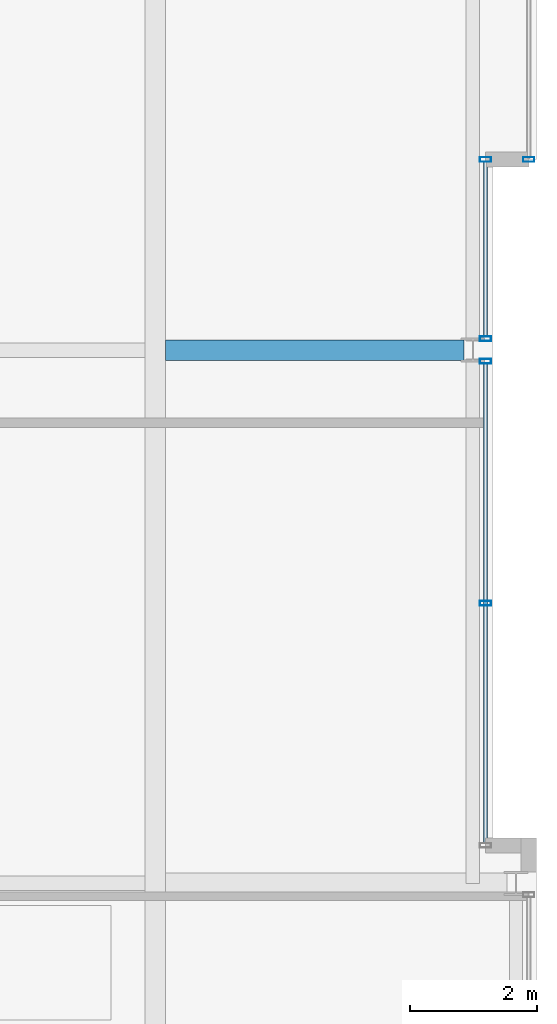
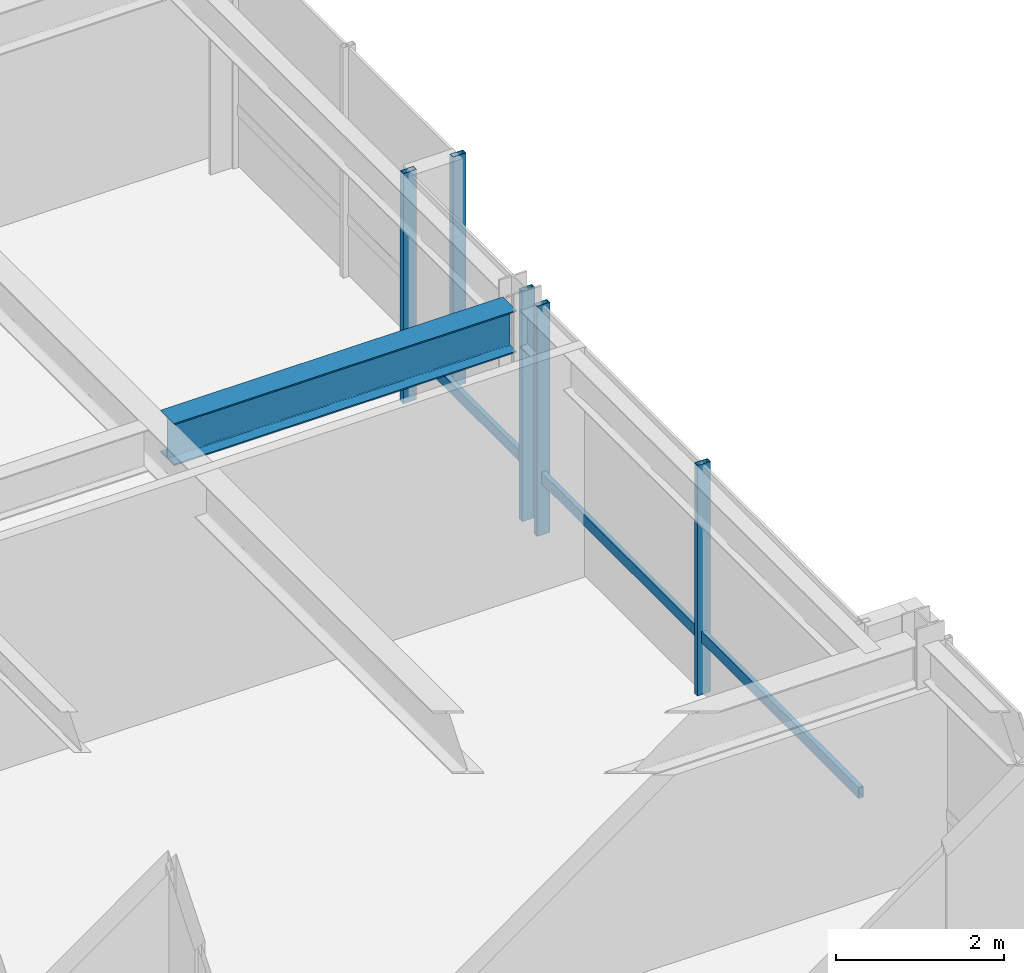
# One storey, part 16 of 32: 7 members, 1 beam, 3 elements without a shape of their own.
"""IFC4 building model written with IfcOpenShell, lengths in metres."""

import ifcopenshell
import ifcopenshell.guid

model = None  # the IFC model being written
_history = None  # IfcOwnerHistory: only IFC2X3 demands one
_inside = {}  # id of a spatial element -> (the spatial element, [elements in it])
_under = {}  # id of a project, library or spatial element -> (it, [spatial elements below it])
_declared = {}  # id of a project -> (the project, [libraries it declares])
_typed = {}  # id of a type object -> (the type object, [elements of that type])
_made_of = {}  # id of a material, layer set ... -> (it, [elements and type objects made of it])


def new_model(schema):
    """Start an empty IFC model of exactly this schema.

    Asked for "IFC4X3", IfcOpenShell would pick the latest addendum, in which some entities
    have other attributes; the version numbers below select the first issue.
    IFC2X3 requires an IfcOwnerHistory on every rooted entity: one is made here for all.
    """
    global model, _history
    if schema == "IFC4X3":
        model = ifcopenshell.file(schema_version=(4, 3, 0, 0))
    else:
        model = ifcopenshell.file(schema=schema)
    _inside.clear()
    _under.clear()
    _declared.clear()
    _typed.clear()
    _made_of.clear()
    _history = None
    if model.schema == "IFC2X3":
        org = make("IfcOrganization", Name="unknown")
        user = make(
            "IfcPersonAndOrganization",
            ThePerson=make("IfcPerson", FamilyName="unknown"),
            TheOrganization=org,
        )
        app = make(
            "IfcApplication",
            ApplicationDeveloper=org,
            Version="unknown",
            ApplicationFullName="unknown",
            ApplicationIdentifier="unknown",
        )
        _history = make(
            "IfcOwnerHistory",
            OwningUser=user,
            OwningApplication=app,
            ChangeAction="ADDED",
            CreationDate=0,
        )
    return model


def make(cls, **values):
    """One entity of the class cls with the attributes given. An attribute that is None is left unset."""
    return model.create_entity(
        cls, **{name: value for name, value in values.items() if value is not None}
    )


def rooted(cls, **values):
    """An entity with a GlobalId (a new one), such as an element, a storey or a relation."""
    return make(cls, GlobalId=ifcopenshell.guid.new(), OwnerHistory=_history, **values)


def si_unit(unit_type, name, prefix=None):
    """IfcSIUnit, for example si_unit("LENGTHUNIT", "METRE", prefix="MILLI")."""
    return make("IfcSIUnit", UnitType=unit_type, Prefix=prefix, Name=name)


def assignment(units):
    """IfcUnitAssignment: the units of a project."""
    return None if units is None else make("IfcUnitAssignment", Units=units)


def point(xyz):
    """IfcCartesianPoint."""
    return None if xyz is None else make("IfcCartesianPoint", Coordinates=xyz)


def direction(xyz):
    """IfcDirection."""
    return None if xyz is None else make("IfcDirection", DirectionRatios=xyz)


def frame(location, z_axis=None, x_axis=None):
    """IfcAxis2Placement3D, a coordinate frame: its origin and axes. An axis left out is left unset."""
    return make(
        "IfcAxis2Placement3D",
        Location=point(location),
        Axis=direction(z_axis),
        RefDirection=direction(x_axis),
    )


def frame_2d(location, x_axis=None):
    """IfcAxis2Placement2D, a coordinate frame in the plane: its origin and x axis."""
    return make(
        "IfcAxis2Placement2D", Location=point(location), RefDirection=direction(x_axis)
    )


def origin():
    """The frame at (0, 0, 0) with its axes left unset."""
    return frame((0.0, 0.0, 0.0))


def origin_2d():
    """The frame at (0, 0) in the plane with its x axis left unset."""
    return frame_2d((0.0, 0.0))


def place(relative_to, where):
    """IfcLocalPlacement: puts the frame where relative to a parent placement (None: the world)."""
    return make(
        "IfcLocalPlacement", PlacementRelTo=relative_to, RelativePlacement=where
    )


def context(
    kind, dimensions, precision=None, world=None, true_north=None, identifier=None
):
    """IfcGeometricRepresentationContext, for example the 3D "Model" context."""
    return make(
        "IfcGeometricRepresentationContext",
        ContextIdentifier=identifier,
        ContextType=kind,
        CoordinateSpaceDimension=dimensions,
        Precision=precision,
        WorldCoordinateSystem=world,
        TrueNorth=true_north,
    )


def subcontext(parent, identifier, kind, view, scale=None):
    """IfcGeometricRepresentationSubContext, for example "Body" below "Model"."""
    return make(
        "IfcGeometricRepresentationSubContext",
        ContextIdentifier=identifier,
        ContextType=kind,
        ParentContext=parent,
        TargetScale=scale,
        TargetView=view,
    )


def project(units=None, contexts=None):
    """IfcProject with its units and contexts."""
    return rooted(
        "IfcProject",
        Name="project",
        RepresentationContexts=contexts,
        UnitsInContext=assignment(units),
    )


def spatial(cls, under=None, at=None, **own):
    """A site, building, storey or space (cls), placed at a placement, below another one or the project."""
    s = rooted(cls, ObjectPlacement=at, **own)
    if under is not None:
        _under.setdefault(under.id(), (under, []))[1].append(s)
    return s


def profile(cls, at=None, kind="AREA", **sizes):
    """A parametric profile (cls). Its sizes go by their IFC names, for example OverallWidth=200.0."""
    return make(cls, ProfileType=kind, Position=at, **sizes)


def hollow_rectangle(**sizes):
    """IfcRectangleHollowProfileDef."""
    return profile("IfcRectangleHollowProfileDef", **sizes)


def i_section(**sizes):
    """IfcIShapeProfileDef."""
    return profile("IfcIShapeProfileDef", **sizes)


def extrude(swept, where, along, depth):
    """IfcExtrudedAreaSolid: the profile swept, set in the frame where, extruded along a direction by depth."""
    return make(
        "IfcExtrudedAreaSolid",
        SweptArea=swept,
        Position=where,
        ExtrudedDirection=direction(along),
        Depth=depth,
    )


def shape(context_of_items, identifier, shape_type, items):
    """IfcShapeRepresentation: the items that make up one representation, for example the "Body"."""
    return make(
        "IfcShapeRepresentation",
        ContextOfItems=context_of_items,
        RepresentationIdentifier=identifier,
        RepresentationType=shape_type,
        Items=items,
    )


def material(Name=None, Category=None):
    """IfcMaterial."""
    return make("IfcMaterial", Name=Name, Category=Category)


def layer(
    of_material, thickness, ventilated=None, Name=None, Category=None, Priority=None
):
    """IfcMaterialLayer: one layer of a wall or slab, of a material (None: an air gap)."""
    return make(
        "IfcMaterialLayer",
        Material=of_material,
        LayerThickness=thickness,
        IsVentilated=ventilated,
        Name=Name,
        Category=Category,
        Priority=Priority,
    )


def layer_set(layers, Name=None):
    """IfcMaterialLayerSet."""
    return make("IfcMaterialLayerSet", MaterialLayers=layers, LayerSetName=Name)


def material_profile(
    of_material, cross_section, Name=None, Category=None, Priority=None
):
    """IfcMaterialProfile: a cross section and its material."""
    return make(
        "IfcMaterialProfile",
        Name=Name,
        Material=of_material,
        Profile=cross_section,
        Priority=Priority,
        Category=Category,
    )


def profile_set(profiles, Name=None, composite=None):
    """IfcMaterialProfileSet."""
    return make(
        "IfcMaterialProfileSet",
        Name=Name,
        MaterialProfiles=profiles,
        CompositeProfile=composite,
    )


def made_of(thing, what):
    """Note that an element or type object is made of a material, layer set ...; save() writes the relation."""
    if what is not None:
        _made_of.setdefault(what.id(), (what, []))[1].append(thing)
    return thing


def type_object(cls, material=None, **own):
    """A type object (cls), such as IfcWallType, which elements share."""
    return made_of(rooted(cls, **own), material)


def element(
    cls,
    number,
    at=None,
    inside=None,
    cuts=None,
    type_object=None,
    material=None,
    context=None,
    identifier="Body",
    shape_type=None,
    held_by="IfcProductDefinitionShape",
    body=None,
    shapes=None,
    **own,
):
    """One element of the class cls, such as IfcWall. Its Tag is "e" and its number.

    at: its placement. inside: the storey or other place that contains it. cuts: it is an
    opening in that element (IfcRelVoidsElement). A single representation is given by context,
    identifier, shape_type and body (its items); several are given by shapes. held_by: the class
    of the entity that holds the representations. save() writes the other relations.
    """
    e = rooted(cls, Tag="e%d" % number, ObjectPlacement=at, **own)
    if body is not None:
        shapes = [shape(context, identifier, shape_type, body)]
    if shapes is not None:
        e.Representation = make(held_by, Representations=shapes)
    if inside is not None:
        _inside.setdefault(inside.id(), (inside, []))[1].append(e)
    if cuts is not None:
        rooted(
            "IfcRelVoidsElement", RelatingBuildingElement=cuts, RelatedOpeningElement=e
        )
    if type_object is not None:
        _typed.setdefault(type_object.id(), (type_object, []))[1].append(e)
    return made_of(e, material)


def aggregate(whole, parts):
    """IfcRelAggregates: a whole, such as a stair, and the parts it consists of."""
    return rooted("IfcRelAggregates", RelatingObject=whole, RelatedObjects=parts)


def save(model, path):
    """Write the relations noted so far, then the file.

    IfcRelAggregates (storeys below a building ...), IfcRelContainedInSpatialStructure (elements
    in a storey), IfcRelDefinesByType, IfcRelAssociatesMaterial and IfcRelDeclares: one each for
    every whole, place, type object, material and project.
    """
    for whole, parts in _under.values():
        aggregate(whole, parts)
    for where, things in _inside.values():
        rooted(
            "IfcRelContainedInSpatialStructure",
            RelatedElements=things,
            RelatingStructure=where,
        )
    for kind, things in _typed.values():
        rooted("IfcRelDefinesByType", RelatedObjects=things, RelatingType=kind)
    for what, things in _made_of.values():
        rooted("IfcRelAssociatesMaterial", RelatedObjects=things, RelatingMaterial=what)
    for by, libraries in _declared.values():
        rooted("IfcRelDeclares", RelatingContext=by, RelatedDefinitions=libraries)
    model.write(path)


model = new_model("IFC4")

# Units and contexts
model_context = context("Model", 3, precision=1e-05, world=origin(), true_north=direction((0.0, 1.0)))
body_context = subcontext(model_context, "Body", "Model", "MODEL_VIEW")
ifc_project = project(units=[si_unit("LENGTHUNIT", "METRE"), si_unit("AREAUNIT", "SQUARE_METRE"), si_unit("VOLUMEUNIT", "CUBIC_METRE"), si_unit("PLANEANGLEUNIT", "RADIAN"), si_unit("MASSUNIT", "GRAM", prefix="KILO")], contexts=[model_context])

# Site, building, storey
site_placement = place(None, origin())
site = spatial("IfcSite", under=ifc_project, at=site_placement, CompositionType="ELEMENT")
building_placement = place(site_placement, origin())
building = spatial("IfcBuilding", under=site, at=building_placement, Name="Drelvath Grand Hotel", CompositionType="ELEMENT")
storey_placement = place(building_placement, frame((0.0, 0.0, 237.5)))
storey = spatial("IfcBuildingStorey", under=building, at=storey_placement, Name="L62", CompositionType="ELEMENT", Elevation=237.5)

# Curtain wall, member
ifc_material_1 = material(Name="Platinum-Mist Anodised Aluminium Frame", Category="aluminium")
ifc_layer = layer(ifc_material_1, 0.199951171875)
ifc_layer_set = layer_set([ifc_layer], Name="Platinum-Mist Anodised Aluminium Frame")
curtain_wall_type = type_object("IfcCurtainWallType", Name="Stick Curtain Wall CW-05 Platinum Mist High-Rise", PredefinedType="NOTDEFINED", material=ifc_layer_set)
curtain_wall_1_placement = place(storey_placement, origin())
curtain_wall_1 = element("IfcCurtainWall", 1, at=curtain_wall_1_placement, inside=storey, type_object=curtain_wall_type, Name="L62 CW-05 Curtain Wall CW05-L62-EM1", PredefinedType="NOTDEFINED")
ifc_material_profile_1 = material_profile(ifc_material_1, hollow_rectangle(XDim=0.06494140625, YDim=0.159912109375, WallThickness=0.00390625, at=origin_2d()), Name="HSS160X65X4")
ifc_profile_set_1 = profile_set([ifc_material_profile_1], Name="Platinum-Mist Anodised Aluminium Frame")
member_type_1 = type_object("IfcMemberType", Name="Curtain Wall Horizontal Transom CW-05 HSS160X65X4", PredefinedType="USERDEFINED", material=ifc_profile_set_1)
member_1_placement = place(storey_placement, frame((21.39990234375, 26.78173828125, 0.8349609375), z_axis=(0.0, -1.0, 0.0), x_axis=(1.0, 0.0, 0.0)))
member_1 = element("IfcMember", 2, at=member_1_placement, type_object=member_type_1, Name="CW05-L62-EM1 Sill Transom", ObjectType="TRANSOM", PredefinedType="USERDEFINED", context=body_context, shape_type="SweptSolid", body=[
    extrude(hollow_rectangle(XDim=0.06494140625, YDim=0.159912109375, WallThickness=0.00390625, at=origin_2d()), origin(), (0.0, 0.0, 1.0), 7.541748046875),
])

curtain_wall_2_placement = place(storey_placement, origin())
curtain_wall_2 = element("IfcCurtainWall", 3, at=curtain_wall_2_placement, inside=storey, type_object=curtain_wall_type, Name="L62 CW-05 Curtain Wall CW05-L62-EM2", PredefinedType="NOTDEFINED")
member_2_placement = place(storey_placement, frame((21.39990234375, 29.9599609375, 0.8349609375), z_axis=(0.0, -1.0, 0.0), x_axis=(1.0, 0.0, 0.0)))
member_2 = element("IfcMember", 4, at=member_2_placement, type_object=member_type_1, Name="CW05-L62-EM2 Sill Transom", ObjectType="TRANSOM", PredefinedType="USERDEFINED", context=body_context, shape_type="SweptSolid", body=[
    extrude(hollow_rectangle(XDim=0.06494140625, YDim=0.159912109375, WallThickness=0.00390625, at=origin_2d()), origin(), (0.0, 0.0, 1.0), 2.74169921875),
])

curtain_wall_3_placement = place(storey_placement, origin())
curtain_wall_3 = element("IfcCurtainWall", 5, at=curtain_wall_3_placement, inside=storey, type_object=curtain_wall_type, Name="L62 CW-05 Curtain Wall CW05-L62-EN1", PredefinedType="NOTDEFINED")
ifc_material_profile_2 = material_profile(ifc_material_1, hollow_rectangle(XDim=0.074951171875, YDim=0.179931640625, WallThickness=0.0048828125, at=origin_2d()), Name="HSS180X75X5")
ifc_profile_set_2 = profile_set([ifc_material_profile_2], Name="Platinum-Mist Anodised Aluminium Frame")
member_type_2 = type_object("IfcMemberType", Name="Curtain Wall Vertical Mullion CW-05 HSS180X75X5", PredefinedType="MULLION", material=ifc_profile_set_2)
member_3_placement = place(storey_placement, frame((22.080078125, 30.0, 0.0), z_axis=(0.0, 0.0, 1.0), x_axis=(0.0, 1.0, 0.0)))
member_3 = element("IfcMember", 6, at=member_3_placement, type_object=member_type_2, Name="CW05-L62-EN1 Mullion 3", PredefinedType="MULLION", context=body_context, shape_type="SweptSolid", body=[
    extrude(hollow_rectangle(XDim=0.074951171875, YDim=0.179931640625, WallThickness=0.0048828125, at=origin_2d()), origin(), (0.0, 0.0, 1.0), 3.340087890625),
])
aggregate(curtain_wall_3, [member_3])

# Member
member_4_placement = place(storey_placement, frame((21.39990234375, 26.82177734375, 0.0), z_axis=(0.0, 0.0, 1.0), x_axis=(0.0, 1.0, 0.0)))
member_4 = element("IfcMember", 7, at=member_4_placement, type_object=member_type_2, Name="CW05-L62-EM1 Mullion 1", PredefinedType="MULLION", context=body_context, shape_type="SweptSolid", body=[
    extrude(hollow_rectangle(XDim=0.074951171875, YDim=0.179931640625, WallThickness=0.0048828125, at=origin_2d()), origin(), (0.0, 0.0, 1.0), 3.340087890625),
])

member_5_placement = place(storey_placement, frame((21.39990234375, 23.010986328125, 0.0), z_axis=(0.0, 0.0, 1.0), x_axis=(0.0, 1.0, 0.0)))
member_5 = element("IfcMember", 8, at=member_5_placement, type_object=member_type_2, Name="CW05-L62-EM1 Mullion 2", PredefinedType="MULLION", context=body_context, shape_type="SweptSolid", body=[
    extrude(hollow_rectangle(XDim=0.074951171875, YDim=0.179931640625, WallThickness=0.0048828125, at=origin_2d()), origin(), (0.0, 0.0, 1.0), 3.340087890625),
])

aggregate(curtain_wall_1, [member_4, member_5, member_1])

member_6_placement = place(storey_placement, frame((21.39990234375, 30.0, 0.0), z_axis=(0.0, 0.0, 1.0), x_axis=(0.0, 1.0, 0.0)))
member_6 = element("IfcMember", 9, at=member_6_placement, type_object=member_type_2, Name="CW05-L62-EM2 Mullion 1", PredefinedType="MULLION", context=body_context, shape_type="SweptSolid", body=[
    extrude(hollow_rectangle(XDim=0.074951171875, YDim=0.179931640625, WallThickness=0.0048828125, at=origin_2d()), origin(), (0.0, 0.0, 1.0), 3.340087890625),
])

member_7_placement = place(storey_placement, frame((21.39990234375, 27.17822265625, 0.0), z_axis=(0.0, 0.0, 1.0), x_axis=(0.0, 1.0, 0.0)))
member_7 = element("IfcMember", 10, at=member_7_placement, type_object=member_type_2, Name="CW05-L62-EM2 Mullion 2", PredefinedType="MULLION", context=body_context, shape_type="SweptSolid", body=[
    extrude(hollow_rectangle(XDim=0.074951171875, YDim=0.179931640625, WallThickness=0.0048828125, at=origin_2d()), origin(), (0.0, 0.0, 1.0), 3.340087890625),
])

aggregate(curtain_wall_2, [member_6, member_7, member_2])

# Beam
ifc_material_2 = material(Name="Steel ASTM A992 Gr 50", Category="steel")
ifc_material_profile_3 = material_profile(ifc_material_2, i_section(OverallWidth=0.323974609375, OverallDepth=0.611083984375, WebThickness=0.0126953125, FlangeThickness=0.01904296875, FilletRadius=0.02197265625, at=origin_2d()), Name="W24X104")
ifc_profile_set_3 = profile_set([ifc_material_profile_3], Name="Steel ASTM A992 Gr 50")
beam_type = type_object("IfcBeamType", Name="Primary Floor Girder W24X104", PredefinedType="BEAM", material=ifc_profile_set_3)
beam_placement = place(storey_placement, frame((16.362060546875, 27.0, 3.034423828125), z_axis=(1.0, 0.0, 0.0), x_axis=(0.0, 1.0, 0.0)))
element("IfcBeam", 11, at=beam_placement, inside=storey, type_object=beam_type, Name="L62 East Wing Girder E", PredefinedType="BEAM", context=body_context, shape_type="SweptSolid", body=[
    extrude(i_section(OverallWidth=0.323974609375, OverallDepth=0.611083984375, WebThickness=0.0126953125, FlangeThickness=0.01904296875, FilletRadius=0.02197265625, at=origin_2d()), origin(), (0.0, 0.0, 1.0), 4.697998046875),
])

save(model, "model.ifc")
